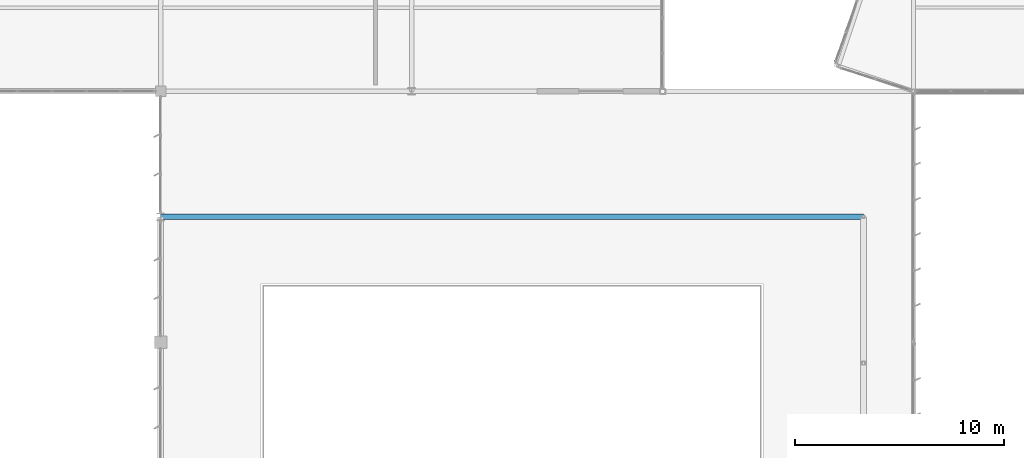
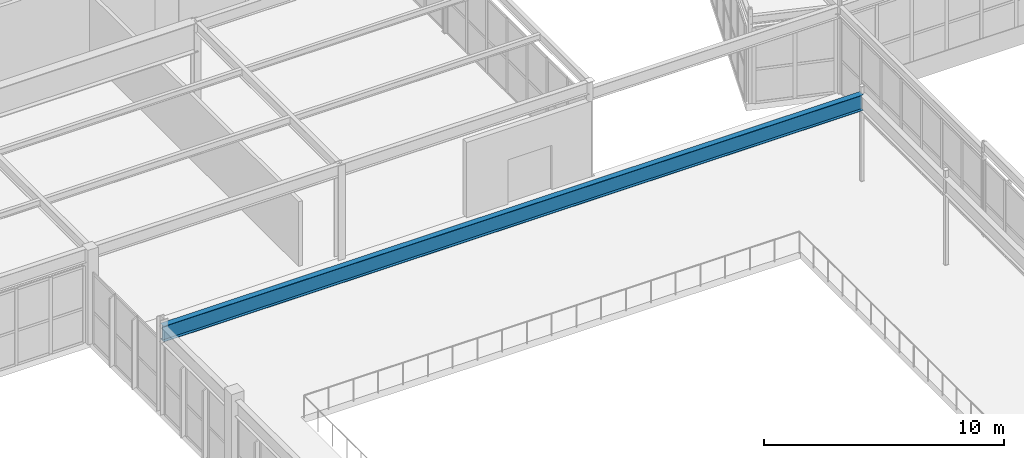
# One storey, part 77 of 186: 1 beam.
"""IFC4 building model written with IfcOpenShell, lengths in metres."""

from ifc_helpers import new_model, si_unit, direction, frame, origin, origin_2d, place, context, subcontext, project, spatial, i_section, extrude, material, material_profile, profile_set, type_object, element, save


model = new_model("IFC4")

# Units and contexts
model_context = context("Model", 3, precision=1e-05, world=origin(), true_north=direction((0.0, 1.0)))
body_context = subcontext(model_context, "Body", "Model", "MODEL_VIEW")
ifc_project = project(units=[si_unit("LENGTHUNIT", "METRE"), si_unit("AREAUNIT", "SQUARE_METRE"), si_unit("VOLUMEUNIT", "CUBIC_METRE"), si_unit("PLANEANGLEUNIT", "RADIAN"), si_unit("MASSUNIT", "GRAM", prefix="KILO")], contexts=[model_context])

# Site, building, storey
site_placement = place(None, origin())
site = spatial("IfcSite", under=ifc_project, at=site_placement, CompositionType="ELEMENT")
building_placement = place(site_placement, origin())
building = spatial("IfcBuilding", under=site, at=building_placement, Name="Tarnwether General Hospital", CompositionType="ELEMENT")
storey_placement = place(building_placement, frame((0.0, 0.0, 9.60009765625)))
storey = spatial("IfcBuildingStorey", under=building, at=storey_placement, Name="L02", CompositionType="ELEMENT", Elevation=9.60009765625)

# Beam
ifc_material = material(Name="Steel Grade 350 (350 MPa)", Category="steel")
ifc_material_profile = material_profile(ifc_material, i_section(OverallWidth=0.27490234375, OverallDepth=0.800048828125, WebThickness=0.010009765625, FlangeThickness=0.02001953125, at=origin_2d()), Name="800WB146")
ifc_profile_set = profile_set([ifc_material_profile], Name="Steel Grade 350 (350 MPa)")
beam_type = type_object("IfcBeamType", Name="BM-RB1", PredefinedType="BEAM", material=ifc_profile_set)
beam_placement = place(storey_placement, frame((141.60009765625, 75.60009765625, 4.02978515625), z_axis=(-1.0, 0.0, 0.0), x_axis=(0.0, -1.0, 0.0)))
element("IfcBeam", 1, at=beam_placement, inside=storey, type_object=beam_type, Name="Gridshell Ring Beam 3", PredefinedType="BEAM", context=body_context, shape_type="SweptSolid", body=[
    extrude(i_section(OverallWidth=0.27490234375, OverallDepth=0.800048828125, WebThickness=0.010009765625, FlangeThickness=0.02001953125, at=origin_2d()), origin(), (0.0, 0.0, 1.0), 33.60009765625),
])

save(model, "model.ifc")
